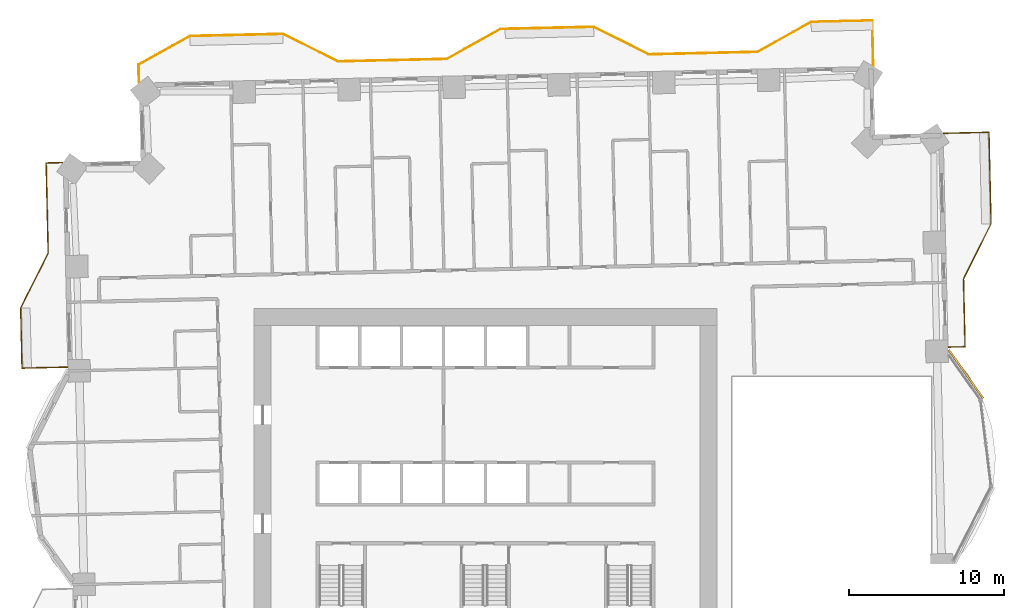
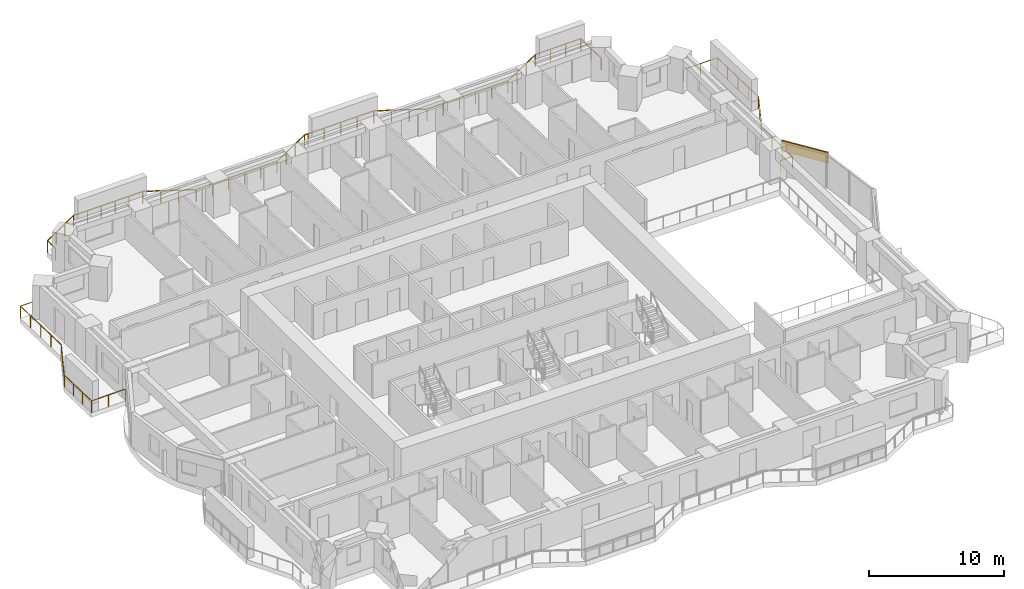
# One storey, part 17 of 17: 3 railings, 1 covering.
"""IFC4 building model written with IfcOpenShell, lengths in metres."""

from ifc_helpers import new_model, si_unit, direction, frame, frame_2d, origin, origin_2d, place, context, subcontext, project, spatial, rectangle, extrude, material, layer, layer_set, type_object, element, save


model = new_model("IFC4")

# Units and contexts
model_context = context("Model", 3, precision=1e-05, world=origin(), true_north=direction((0.0, 1.0)))
body_context = subcontext(model_context, "Body", "Model", "MODEL_VIEW")
ifc_project = project(units=[si_unit("LENGTHUNIT", "METRE"), si_unit("AREAUNIT", "SQUARE_METRE"), si_unit("VOLUMEUNIT", "CUBIC_METRE"), si_unit("PLANEANGLEUNIT", "RADIAN"), si_unit("MASSUNIT", "GRAM", prefix="KILO")], contexts=[model_context])

# Site, building, storey
site_placement = place(None, origin())
site = spatial("IfcSite", under=ifc_project, at=site_placement, CompositionType="ELEMENT")
building_placement = place(site_placement, origin())
building = spatial("IfcBuilding", under=site, at=building_placement, Name="Mangrove Gate Tower", CompositionType="ELEMENT")
storey_placement = place(building_placement, frame((0.0, 0.0, 86.5)))
storey = spatial("IfcBuildingStorey", under=building, at=storey_placement, Name="L21", CompositionType="ELEMENT", Elevation=86.5)

# Railings
ifc_material_1 = material(Name="Stainless steel grade 316 with laminated glass infill", Category="steel")
railing_type = type_object("IfcRailingType", Name="Balcony guard 1100", PredefinedType="GUARDRAIL", material=ifc_material_1)
railing_1_placement = place(storey_placement, frame((29.806884765625, 9.4169921875, 0.0)))
element("IfcRailing", 1, at=railing_1_placement, inside=storey, type_object=railing_type, Name="GUARD L21 E2", PredefinedType="GUARDRAIL", context=body_context, shape_type="SweptSolid", body=[
    extrude(rectangle(XDim=0.048095703125, YDim=0.048095703125, at=origin_2d()), frame((0.0, 0.0, 1.076171875), z_axis=(0.999745389313, 0.022564497502, 0.0), x_axis=(-0.022564497502, 0.999745389313, 0.0)), (0.0, 0.0, 1.0), 1.060302734375),
    extrude(rectangle(XDim=0.048095703125, YDim=0.048095703125, at=origin_2d()), frame((1.06005859375, 0.02392578125, 1.076171875), z_axis=(-0.022599718713, 0.999744593741, 0.0), x_axis=(-0.999744593741, -0.022599718713, 0.0)), (0.0, 0.0, 1.0), 4.375244140625),
    extrude(rectangle(XDim=0.048095703125, YDim=0.048095703125, at=origin_2d()), frame((0.961181640625, 4.39794921875, 1.076171875), z_axis=(0.447114919141, 0.894476522376, 0.0), x_axis=(-0.894476522376, 0.447114919141, 0.0)), (0.0, 0.0, 1.0), 3.958740234375),
    extrude(rectangle(XDim=0.048095703125, YDim=0.048095703125, at=origin_2d()), frame((2.731201171875, 7.93896484375, 1.076171875), z_axis=(-0.022719525258, 0.999741878273, 0.0), x_axis=(-0.999741878273, -0.022719525258, 0.0)), (0.0, 0.0, 1.0), 5.8994140625),
    extrude(rectangle(XDim=0.048095703125, YDim=0.048095703125, at=origin_2d()), frame((2.59716796875, 13.8369140625, 1.076171875), z_axis=(-0.999743349437, -0.022654696127, 0.0), x_axis=(0.022654696127, -0.999743349437, 0.0)), (0.0, 0.0, 1.0), 2.90966796875),
    extrude(rectangle(XDim=0.0419921875, YDim=0.0419921875, at=origin_2d()), origin(), (0.0, 0.0, 1.0), 1.052001953125),
    extrude(rectangle(XDim=0.0419921875, YDim=0.0419921875, at=origin_2d()), frame((1.06005859375, 0.02392578125, 0.0)), (0.0, 0.0, 1.0), 1.052001953125),
    extrude(rectangle(XDim=0.0419921875, YDim=0.0419921875, at=origin_2d()), frame((1.027099609375, 1.48193359375, 0.0)), (0.0, 0.0, 1.0), 1.052001953125),
    extrude(rectangle(XDim=0.0419921875, YDim=0.0419921875, at=origin_2d()), frame((0.994140625, 2.93994140625, 0.0)), (0.0, 0.0, 1.0), 1.052001953125),
    extrude(rectangle(XDim=0.0419921875, YDim=0.0419921875, at=origin_2d()), frame((0.961181640625, 4.39794921875, 0.0)), (0.0, 0.0, 1.0), 1.052001953125),
    extrude(rectangle(XDim=0.0419921875, YDim=0.0419921875, at=origin_2d()), frame((1.55126953125, 5.578369140625, 0.0)), (0.0, 0.0, 1.0), 1.052001953125),
    extrude(rectangle(XDim=0.0419921875, YDim=0.0419921875, at=origin_2d()), frame((2.14111328125, 6.758544921875, 0.0)), (0.0, 0.0, 1.0), 1.052001953125),
    extrude(rectangle(XDim=0.0419921875, YDim=0.0419921875, at=origin_2d()), frame((2.731201171875, 7.93896484375, 0.0)), (0.0, 0.0, 1.0), 1.052001953125),
    extrude(rectangle(XDim=0.0419921875, YDim=0.0419921875, at=origin_2d()), frame((2.69775390625, 9.41357421875, 0.0)), (0.0, 0.0, 1.0), 1.052001953125),
    extrude(rectangle(XDim=0.0419921875, YDim=0.0419921875, at=origin_2d()), frame((2.6640625, 10.887939453125, 0.0)), (0.0, 0.0, 1.0), 1.052001953125),
    extrude(rectangle(XDim=0.0419921875, YDim=0.0419921875, at=origin_2d()), frame((2.630615234375, 12.3623046875, 0.0)), (0.0, 0.0, 1.0), 1.052001953125),
    extrude(rectangle(XDim=0.0419921875, YDim=0.0419921875, at=origin_2d()), frame((2.59716796875, 13.8369140625, 0.0)), (0.0, 0.0, 1.0), 1.052001953125),
    extrude(rectangle(XDim=0.0419921875, YDim=0.0419921875, at=origin_2d()), frame((1.142578125, 13.803955078125, 0.0)), (0.0, 0.0, 1.0), 1.052001953125),
    extrude(rectangle(XDim=0.0419921875, YDim=0.0419921875, at=origin_2d()), frame((-0.311767578125, 13.77099609375, 0.0)), (0.0, 0.0, 1.0), 1.052001953125),
])
railing_2_placement = place(storey_placement, frame((24.955078125, 27.527099609375, 0.0)))
element("IfcRailing", 2, at=railing_2_placement, inside=storey, type_object=railing_type, Name="GUARD L21 N1", PredefinedType="GUARDRAIL", context=body_context, shape_type="SweptSolid", body=[
    extrude(rectangle(XDim=0.048095703125, YDim=0.048095703125, at=origin_2d()), frame((0.0, 0.0, 1.076171875), z_axis=(-0.022738559105, 0.99974144554, 0.0), x_axis=(-0.99974144554, -0.022738559105, 0.0)), (0.0, 0.0, 1.0), 2.90966796875),
    extrude(rectangle(XDim=0.048095703125, YDim=0.048095703125, at=origin_2d()), frame((-0.066162109375, 2.908935546875, 1.076171875), z_axis=(-0.999738010656, -0.022889081463, 0.0), x_axis=(0.022889081463, -0.999738010656, 0.0)), (0.0, 0.0, 1.0), 3.935791015625),
    extrude(rectangle(XDim=0.048095703125, YDim=0.048095703125, at=origin_2d()), frame((-4.0009765625, 2.81884765625, 1.076171875), z_axis=(-0.873361856081, -0.487071933437, 0.0), x_axis=(0.487071933437, -0.873361856081, 0.0)), (0.0, 0.0, 1.0), 3.958251953125),
    extrude(rectangle(XDim=0.048095703125, YDim=0.048095703125, at=origin_2d()), frame((-7.4580078125, 0.890869140625, 1.076171875), z_axis=(-0.999742195543, -0.022705559911, 0.0), x_axis=(0.022705559911, -0.999742195543, 0.0)), (0.0, 0.0, 1.0), 6.999755859375),
    extrude(rectangle(XDim=0.048095703125, YDim=0.048095703125, at=origin_2d()), frame((-14.4560546875, 0.73193359375, 1.076171875), z_axis=(-0.894476522376, 0.447114919141, 0.0), x_axis=(-0.447114919141, -0.894476522376, 0.0)), (0.0, 0.0, 1.0), 3.958740234375),
    extrude(rectangle(XDim=0.048095703125, YDim=0.048095703125, at=origin_2d()), frame((-17.9970703125, 2.501953125, 1.076171875), z_axis=(-0.999743314836, -0.022656223003, 0.0), x_axis=(0.022656223003, -0.999743314836, 0.0)), (0.0, 0.0, 1.0), 5.700439453125),
    extrude(rectangle(XDim=0.048095703125, YDim=0.048095703125, at=origin_2d()), frame((-23.696044921875, 2.372802734375, 1.076171875), z_axis=(-0.999740574134, -0.022776839769, 0.0), x_axis=(0.022776839769, -0.999740574134, 0.0)), (0.0, 0.0, 1.0), 0.300048828125),
    extrude(rectangle(XDim=0.048095703125, YDim=0.048095703125, at=origin_2d()), frame((-23.99609375, 2.365966796875, 1.076171875), z_axis=(-0.87325689943, -0.48726008209, 0.0), x_axis=(0.48726008209, -0.87325689943, 0.0)), (0.0, 0.0, 1.0), 3.958740234375),
    extrude(rectangle(XDim=0.048095703125, YDim=0.048095703125, at=origin_2d()), frame((-27.453125, 0.43701171875, 1.076171875), z_axis=(-0.999741403216, -0.022740419861, 0.0), x_axis=(0.022740419861, -0.999741403216, 0.0)), (0.0, 0.0, 1.0), 6.999755859375),
    extrude(rectangle(XDim=0.048095703125, YDim=0.048095703125, at=origin_2d()), frame((-34.451171875, 0.27783203125, 1.076171875), z_axis=(-0.894476522376, 0.447114919141, 0.0), x_axis=(-0.447114919141, -0.894476522376, 0.0)), (0.0, 0.0, 1.0), 3.958740234375),
    extrude(rectangle(XDim=0.048095703125, YDim=0.048095703125, at=origin_2d()), frame((-37.9921875, 2.0478515625, 1.076171875), z_axis=(-0.999743157205, -0.022663177671, 0.0), x_axis=(0.022663177671, -0.999743157205, 0.0)), (0.0, 0.0, 1.0), 6.000244140625),
    extrude(rectangle(XDim=0.048095703125, YDim=0.048095703125, at=origin_2d()), frame((-43.990966796875, 1.911865234375, 1.076171875), z_axis=(-0.873230996182, -0.487306502426, 0.0), x_axis=(0.487306502426, -0.873230996182, 0.0)), (0.0, 0.0, 1.0), 3.7734375),
    extrude(rectangle(XDim=0.048095703125, YDim=0.048095703125, at=origin_2d()), frame((-47.2861328125, 0.072998046875, 1.076171875), z_axis=(0.022789137504, -0.999740293882, 0.0), x_axis=(0.999740293882, 0.022789137504, 0.0)), (0.0, 0.0, 1.0), 1.146240234375),
    extrude(rectangle(XDim=0.0419921875, YDim=0.0419921875, at=origin_2d()), origin(), (0.0, 0.0, 1.0), 1.052001953125),
    extrude(rectangle(XDim=0.0419921875, YDim=0.0419921875, at=origin_2d()), frame((-0.033203125, 1.45458984375, 0.0)), (0.0, 0.0, 1.0), 1.052001953125),
    extrude(rectangle(XDim=0.0419921875, YDim=0.0419921875, at=origin_2d()), frame((-0.066162109375, 2.908935546875, 0.0)), (0.0, 0.0, 1.0), 1.052001953125),
    extrude(rectangle(XDim=0.0419921875, YDim=0.0419921875, at=origin_2d()), frame((-1.377685546875, 2.87890625, 0.0)), (0.0, 0.0, 1.0), 1.052001953125),
    extrude(rectangle(XDim=0.0419921875, YDim=0.0419921875, at=origin_2d()), frame((-2.689453125, 2.848876953125, 0.0)), (0.0, 0.0, 1.0), 1.052001953125),
    extrude(rectangle(XDim=0.0419921875, YDim=0.0419921875, at=origin_2d()), frame((-4.0009765625, 2.81884765625, 0.0)), (0.0, 0.0, 1.0), 1.052001953125),
    extrude(rectangle(XDim=0.0419921875, YDim=0.0419921875, at=origin_2d()), frame((-5.1533203125, 2.17626953125, 0.0)), (0.0, 0.0, 1.0), 1.052001953125),
    extrude(rectangle(XDim=0.0419921875, YDim=0.0419921875, at=origin_2d()), frame((-6.3056640625, 1.533447265625, 0.0)), (0.0, 0.0, 1.0), 1.052001953125),
    extrude(rectangle(XDim=0.0419921875, YDim=0.0419921875, at=origin_2d()), frame((-7.4580078125, 0.890869140625, 0.0)), (0.0, 0.0, 1.0), 1.052001953125),
    extrude(rectangle(XDim=0.0419921875, YDim=0.0419921875, at=origin_2d()), frame((-8.857666015625, 0.859130859375, 0.0)), (0.0, 0.0, 1.0), 1.052001953125),
    extrude(rectangle(XDim=0.0419921875, YDim=0.0419921875, at=origin_2d()), frame((-10.25732421875, 0.827392578125, 0.0)), (0.0, 0.0, 1.0), 1.052001953125),
    extrude(rectangle(XDim=0.0419921875, YDim=0.0419921875, at=origin_2d()), frame((-11.65673828125, 0.79541015625, 0.0)), (0.0, 0.0, 1.0), 1.052001953125),
    extrude(rectangle(XDim=0.0419921875, YDim=0.0419921875, at=origin_2d()), frame((-13.056396484375, 0.763671875, 0.0)), (0.0, 0.0, 1.0), 1.052001953125),
    extrude(rectangle(XDim=0.0419921875, YDim=0.0419921875, at=origin_2d()), frame((-14.4560546875, 0.73193359375, 0.0)), (0.0, 0.0, 1.0), 1.052001953125),
    extrude(rectangle(XDim=0.0419921875, YDim=0.0419921875, at=origin_2d()), frame((-15.636474609375, 1.322021484375, 0.0)), (0.0, 0.0, 1.0), 1.052001953125),
    extrude(rectangle(XDim=0.0419921875, YDim=0.0419921875, at=origin_2d()), frame((-16.816650390625, 1.911865234375, 0.0)), (0.0, 0.0, 1.0), 1.052001953125),
    extrude(rectangle(XDim=0.0419921875, YDim=0.0419921875, at=origin_2d()), frame((-17.9970703125, 2.501953125, 0.0)), (0.0, 0.0, 1.0), 1.052001953125),
    extrude(rectangle(XDim=0.0419921875, YDim=0.0419921875, at=origin_2d()), frame((-19.421875, 2.4697265625, 0.0)), (0.0, 0.0, 1.0), 1.052001953125),
    extrude(rectangle(XDim=0.0419921875, YDim=0.0419921875, at=origin_2d()), frame((-20.8466796875, 2.4375, 0.0)), (0.0, 0.0, 1.0), 1.052001953125),
    extrude(rectangle(XDim=0.0419921875, YDim=0.0419921875, at=origin_2d()), frame((-22.271240234375, 2.405029296875, 0.0)), (0.0, 0.0, 1.0), 1.052001953125),
    extrude(rectangle(XDim=0.0419921875, YDim=0.0419921875, at=origin_2d()), frame((-23.696044921875, 2.372802734375, 0.0)), (0.0, 0.0, 1.0), 1.052001953125),
    extrude(rectangle(XDim=0.0419921875, YDim=0.0419921875, at=origin_2d()), frame((-23.99609375, 2.365966796875, 0.0)), (0.0, 0.0, 1.0), 1.052001953125),
    extrude(rectangle(XDim=0.0419921875, YDim=0.0419921875, at=origin_2d()), frame((-25.1484375, 1.722900390625, 0.0)), (0.0, 0.0, 1.0), 1.052001953125),
    extrude(rectangle(XDim=0.0419921875, YDim=0.0419921875, at=origin_2d()), frame((-26.30078125, 1.080078125, 0.0)), (0.0, 0.0, 1.0), 1.052001953125),
    extrude(rectangle(XDim=0.0419921875, YDim=0.0419921875, at=origin_2d()), frame((-27.453125, 0.43701171875, 0.0)), (0.0, 0.0, 1.0), 1.052001953125),
    extrude(rectangle(XDim=0.0419921875, YDim=0.0419921875, at=origin_2d()), frame((-28.852783203125, 0.4052734375, 0.0)), (0.0, 0.0, 1.0), 1.052001953125),
    extrude(rectangle(XDim=0.0419921875, YDim=0.0419921875, at=origin_2d()), frame((-30.25244140625, 0.373291015625, 0.0)), (0.0, 0.0, 1.0), 1.052001953125),
    extrude(rectangle(XDim=0.0419921875, YDim=0.0419921875, at=origin_2d()), frame((-31.65185546875, 0.341552734375, 0.0)), (0.0, 0.0, 1.0), 1.052001953125),
    extrude(rectangle(XDim=0.0419921875, YDim=0.0419921875, at=origin_2d()), frame((-33.051513671875, 0.3095703125, 0.0)), (0.0, 0.0, 1.0), 1.052001953125),
    extrude(rectangle(XDim=0.0419921875, YDim=0.0419921875, at=origin_2d()), frame((-34.451171875, 0.27783203125, 0.0)), (0.0, 0.0, 1.0), 1.052001953125),
    extrude(rectangle(XDim=0.0419921875, YDim=0.0419921875, at=origin_2d()), frame((-35.631591796875, 0.867919921875, 0.0)), (0.0, 0.0, 1.0), 1.052001953125),
    extrude(rectangle(XDim=0.0419921875, YDim=0.0419921875, at=origin_2d()), frame((-36.811767578125, 1.457763671875, 0.0)), (0.0, 0.0, 1.0), 1.052001953125),
    extrude(rectangle(XDim=0.0419921875, YDim=0.0419921875, at=origin_2d()), frame((-37.9921875, 2.0478515625, 0.0)), (0.0, 0.0, 1.0), 1.052001953125),
    extrude(rectangle(XDim=0.0419921875, YDim=0.0419921875, at=origin_2d()), frame((-39.19189453125, 2.020751953125, 0.0)), (0.0, 0.0, 1.0), 1.052001953125),
    extrude(rectangle(XDim=0.0419921875, YDim=0.0419921875, at=origin_2d()), frame((-40.3916015625, 1.993408203125, 0.0)), (0.0, 0.0, 1.0), 1.052001953125),
    extrude(rectangle(XDim=0.0419921875, YDim=0.0419921875, at=origin_2d()), frame((-41.591552734375, 1.96630859375, 0.0)), (0.0, 0.0, 1.0), 1.052001953125),
    extrude(rectangle(XDim=0.0419921875, YDim=0.0419921875, at=origin_2d()), frame((-42.791259765625, 1.93896484375, 0.0)), (0.0, 0.0, 1.0), 1.052001953125),
    extrude(rectangle(XDim=0.0419921875, YDim=0.0419921875, at=origin_2d()), frame((-43.990966796875, 1.911865234375, 0.0)), (0.0, 0.0, 1.0), 1.052001953125),
    extrude(rectangle(XDim=0.0419921875, YDim=0.0419921875, at=origin_2d()), frame((-45.08935546875, 1.298828125, 0.0)), (0.0, 0.0, 1.0), 1.052001953125),
    extrude(rectangle(XDim=0.0419921875, YDim=0.0419921875, at=origin_2d()), frame((-46.187744140625, 0.68603515625, 0.0)), (0.0, 0.0, 1.0), 1.052001953125),
    extrude(rectangle(XDim=0.0419921875, YDim=0.0419921875, at=origin_2d()), frame((-47.2861328125, 0.072998046875, 0.0)), (0.0, 0.0, 1.0), 1.052001953125),
    extrude(rectangle(XDim=0.0419921875, YDim=0.0419921875, at=origin_2d()), frame((-47.260009765625, -1.072998046875, 0.0)), (0.0, 0.0, 1.0), 1.052001953125),
])
railing_3_placement = place(storey_placement, frame((-27.22900390625, 21.301025390625, 0.0)))
element("IfcRailing", 3, at=railing_3_placement, inside=storey, type_object=railing_type, Name="GUARD L21 W1", PredefinedType="GUARDRAIL", context=body_context, shape_type="SweptSolid", body=[
    extrude(rectangle(XDim=0.048095703125, YDim=0.048095703125, at=origin_2d()), frame((0.0, 0.0, 1.076171875), z_axis=(-0.999745389313, -0.022564497502, 0.0), x_axis=(0.022564497502, -0.999745389313, 0.0)), (0.0, 0.0, 1.0), 1.060302734375),
    extrude(rectangle(XDim=0.048095703125, YDim=0.048095703125, at=origin_2d()), frame((-1.06005859375, -0.02392578125, 1.076171875), z_axis=(0.0227739983, -0.999740638867, 0.0), x_axis=(0.999740638867, 0.0227739983, 0.0)), (0.0, 0.0, 1.0), 5.799560546875),
    extrude(rectangle(XDim=0.048095703125, YDim=0.048095703125, at=origin_2d()), frame((-0.927978515625, -5.822021484375, 1.076171875), z_axis=(-0.447016280881, -0.894525821107, 0.0), x_axis=(0.894525821107, -0.447016280881, 0.0)), (0.0, 0.0, 1.0), 3.959716796875),
    extrude(rectangle(XDim=0.048095703125, YDim=0.048095703125, at=origin_2d()), frame((-2.697998046875, -9.364013671875, 1.076171875), z_axis=(0.022435098042, -0.999748301512, 0.0), x_axis=(0.999748301512, 0.022435098042, 0.0)), (0.0, 0.0, 1.0), 3.8740234375),
    extrude(rectangle(XDim=0.048095703125, YDim=0.048095703125, at=origin_2d()), frame((-2.611083984375, -13.237060546875, 1.076171875), z_axis=(0.99974356462, 0.022645198192, 0.0), x_axis=(-0.022645198192, 0.99974356462, 0.0)), (0.0, 0.0, 1.0), 2.910888671875),
    extrude(rectangle(XDim=0.0419921875, YDim=0.0419921875, at=origin_2d()), origin(), (0.0, 0.0, 1.0), 1.052001953125),
    extrude(rectangle(XDim=0.0419921875, YDim=0.0419921875, at=origin_2d()), frame((-1.06005859375, -0.02392578125, 0.0)), (0.0, 0.0, 1.0), 1.052001953125),
    extrude(rectangle(XDim=0.0419921875, YDim=0.0419921875, at=origin_2d()), frame((-1.027099609375, -1.473388671875, 0.0)), (0.0, 0.0, 1.0), 1.052001953125),
    extrude(rectangle(XDim=0.0419921875, YDim=0.0419921875, at=origin_2d()), frame((-0.994140625, -2.9228515625, 0.0)), (0.0, 0.0, 1.0), 1.052001953125),
    extrude(rectangle(XDim=0.0419921875, YDim=0.0419921875, at=origin_2d()), frame((-0.9609375, -4.37255859375, 0.0)), (0.0, 0.0, 1.0), 1.052001953125),
    extrude(rectangle(XDim=0.0419921875, YDim=0.0419921875, at=origin_2d()), frame((-0.927978515625, -5.822021484375, 0.0)), (0.0, 0.0, 1.0), 1.052001953125),
    extrude(rectangle(XDim=0.0419921875, YDim=0.0419921875, at=origin_2d()), frame((-1.51806640625, -7.002685546875, 0.0)), (0.0, 0.0, 1.0), 1.052001953125),
    extrude(rectangle(XDim=0.0419921875, YDim=0.0419921875, at=origin_2d()), frame((-2.10791015625, -8.183349609375, 0.0)), (0.0, 0.0, 1.0), 1.052001953125),
    extrude(rectangle(XDim=0.0419921875, YDim=0.0419921875, at=origin_2d()), frame((-2.697998046875, -9.364013671875, 0.0)), (0.0, 0.0, 1.0), 1.052001953125),
    extrude(rectangle(XDim=0.0419921875, YDim=0.0419921875, at=origin_2d()), frame((-2.6689453125, -10.655029296875, 0.0)), (0.0, 0.0, 1.0), 1.052001953125),
    extrude(rectangle(XDim=0.0419921875, YDim=0.0419921875, at=origin_2d()), frame((-2.64013671875, -11.946044921875, 0.0)), (0.0, 0.0, 1.0), 1.052001953125),
    extrude(rectangle(XDim=0.0419921875, YDim=0.0419921875, at=origin_2d()), frame((-2.611083984375, -13.237060546875, 0.0)), (0.0, 0.0, 1.0), 1.052001953125),
    extrude(rectangle(XDim=0.0419921875, YDim=0.0419921875, at=origin_2d()), frame((-1.156005859375, -13.2041015625, 0.0)), (0.0, 0.0, 1.0), 1.052001953125),
    extrude(rectangle(XDim=0.0419921875, YDim=0.0419921875, at=origin_2d()), frame((0.299072265625, -13.171142578125, 0.0)), (0.0, 0.0, 1.0), 1.052001953125),
])

# Covering
ifc_material_2 = material(Name="Limestone", Category="masonry")
ifc_layer_1 = layer(ifc_material_2, 0.0400390625, Name="Limestone cladding")
ifc_material_3 = material(Name="Stainless steel anchors and cavity", Category="steel")
ifc_layer_2 = layer(ifc_material_3, 0.080078125, Name="Fixing cavity")
ifc_layer_set = layer_set([ifc_layer_1, ifc_layer_2], Name="Joint fascia cladding 120")
covering_type = type_object("IfcCoveringType", Name="Joint fascia cladding 120", PredefinedType="CLADDING", material=ifc_layer_set)
covering_placement = place(storey_placement, frame((32.02294921875, 6.131103515625, 2.10009765625), z_axis=(0.0, 0.0, 1.0), x_axis=(-0.578168098379, 0.815917673553, 0.0)))
element("IfcCovering", 4, at=covering_placement, inside=storey, type_object=covering_type, Name="STONE FASCIA L21 E1.L2", PredefinedType="CLADDING", context=body_context, shape_type="SweptSolid", body=[
    extrude(rectangle(XDim=3.819091796875, YDim=0.1201171875, at=frame_2d((1.90966796875, 0.0))), origin(), (0.0, 0.0, 1.0), 0.949951171875),
])

save(model, "model.ifc")
